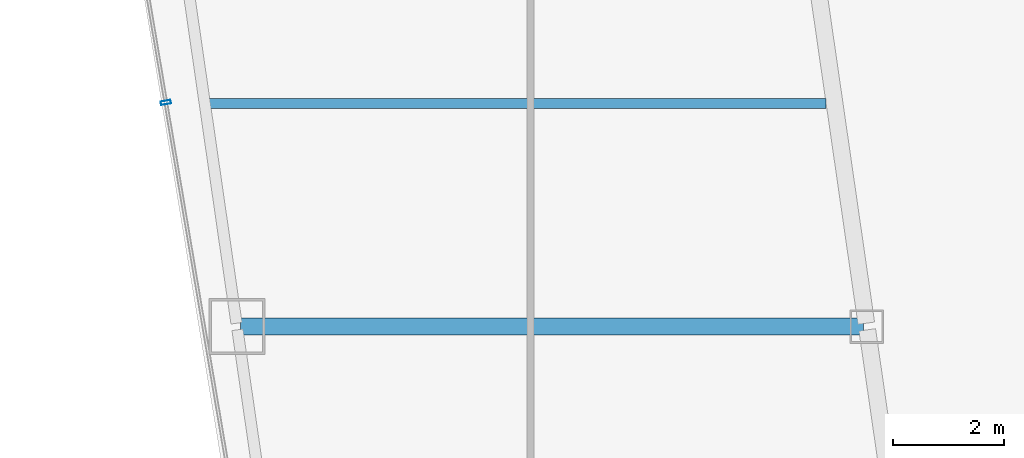
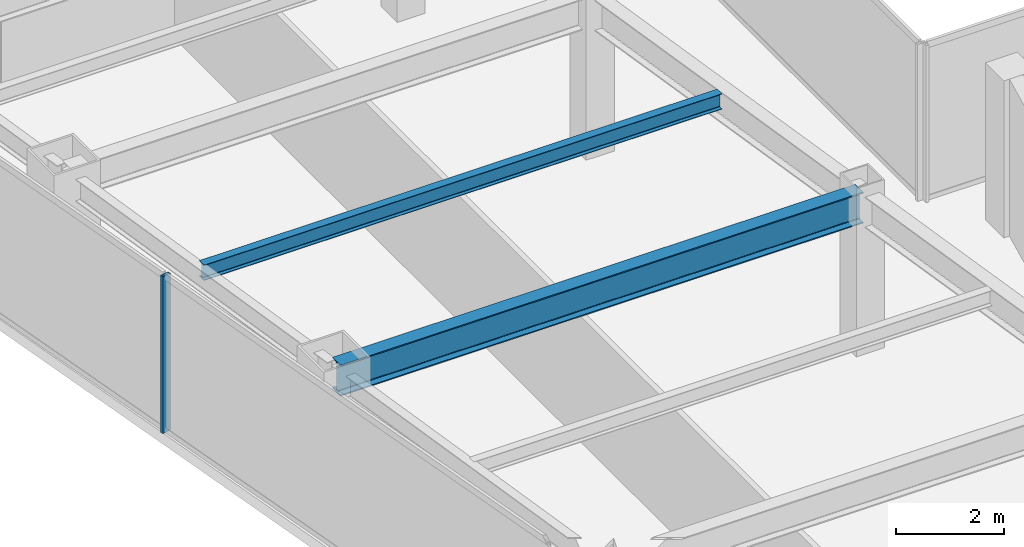
# One storey, part 4 of 31: 2 beams, 1 member, 1 element without a shape of its own.
"""IFC4 building model written with IfcOpenShell, lengths in metres."""

from ifc_helpers import new_model, si_unit, direction, frame, origin, origin_2d, place, context, subcontext, project, spatial, hollow_rectangle, i_section, extrude, material, material_profile, profile_set, type_object, element, aggregate, save


model = new_model("IFC4")

# Units and contexts
model_context = context("Model", 3, precision=1e-05, world=origin(), true_north=direction((0.0, 1.0)))
body_context = subcontext(model_context, "Body", "Model", "MODEL_VIEW")
ifc_project = project(units=[si_unit("LENGTHUNIT", "METRE"), si_unit("AREAUNIT", "SQUARE_METRE"), si_unit("VOLUMEUNIT", "CUBIC_METRE"), si_unit("PLANEANGLEUNIT", "RADIAN"), si_unit("MASSUNIT", "GRAM", prefix="KILO")], contexts=[model_context])

# Site, building, storey
site_placement = place(None, origin())
site = spatial("IfcSite", under=ifc_project, at=site_placement, CompositionType="ELEMENT")
building_placement = place(site_placement, origin())
building = spatial("IfcBuilding", under=site, at=building_placement, Name="Saevonmaru Cultural Tower", CompositionType="ELEMENT")
storey_placement = place(building_placement, frame((0.0, 0.0, 167.60009765625)))
storey = spatial("IfcBuildingStorey", under=building, at=storey_placement, Name="L37", CompositionType="ELEMENT", Elevation=167.60009765625)

# Beams
ifc_material_1 = material(Name="Steel SM355", Category="steel")
ifc_material_profile_1 = material_profile(ifc_material_1, i_section(OverallWidth=0.300048828125, OverallDepth=0.699951171875, WebThickness=0.012939453125, FlangeThickness=0.02392578125, FilletRadius=0.02587890625, at=origin_2d()), Name="H-700x300x13x24")
ifc_profile_set_1 = profile_set([ifc_material_profile_1], Name="Steel SM355")
beam_type_1 = type_object("IfcBeamType", Name="BM-G-H700", PredefinedType="BEAM", material=ifc_profile_set_1)
beam_1_placement = place(storey_placement, frame((9.531982421875, 24.0, 3.199951171875), z_axis=(1.0, 0.0, 0.0), x_axis=(0.0, 1.0, 0.0)))
element("IfcBeam", 1, at=beam_1_placement, inside=storey, type_object=beam_type_1, Name="L37 West Wing Transverse Girder 2", PredefinedType="BEAM", context=body_context, shape_type="SweptSolid", body=[
    extrude(i_section(OverallWidth=0.300048828125, OverallDepth=0.699951171875, WebThickness=0.012939453125, FlangeThickness=0.02392578125, FilletRadius=0.02587890625, at=origin_2d()), origin(), (0.0, 0.0, 1.0), 11.179931640625),
])
ifc_material_profile_2 = material_profile(ifc_material_1, i_section(OverallWidth=0.175048828125, OverallDepth=0.35009765625, WebThickness=0.007080078125, FlangeThickness=0.010986328125, FilletRadius=0.012939453125, at=origin_2d()), Name="H-350x175x7x11")
ifc_profile_set_2 = profile_set([ifc_material_profile_2], Name="Steel SM355")
beam_type_2 = type_object("IfcBeamType", Name="BM-J-H350", PredefinedType="JOIST", material=ifc_profile_set_2)
beam_2_placement = place(storey_placement, frame((8.95458984375, 28.0, 3.375), z_axis=(1.0, 0.0, 0.0), x_axis=(0.0, 1.0, 0.0)))
element("IfcBeam", 2, at=beam_2_placement, inside=storey, type_object=beam_type_2, Name="L37 West Wing Floor Joist 2", PredefinedType="JOIST", context=body_context, shape_type="SweptSolid", body=[
    extrude(i_section(OverallWidth=0.175048828125, OverallDepth=0.35009765625, WebThickness=0.007080078125, FlangeThickness=0.010986328125, FilletRadius=0.012939453125, at=origin_2d()), origin(), (0.0, 0.0, 1.0), 11.08203125),
])

# Curtain wall, member
ifc_material_2 = material(Name="Satin Bronze Anodised Aluminium", Category="aluminium")
curtain_wall_type = type_object("IfcCurtainWallType", Name="CW-TYP-A", PredefinedType="NOTDEFINED", material=ifc_material_2)
curtain_wall_placement = place(storey_placement, origin())
curtain_wall = element("IfcCurtainWall", 3, at=curtain_wall_placement, inside=storey, type_object=curtain_wall_type, Name="L37 Unitised Curtain Wall E12", PredefinedType="NOTDEFINED")
ifc_material_profile_3 = material_profile(ifc_material_2, hollow_rectangle(XDim=0.06494140625, YDim=0.179931640625, WallThickness=0.00390625, at=origin_2d()), Name="ALU-MULL-180x65x4")
ifc_profile_set_3 = profile_set([ifc_material_profile_3], Name="Satin Bronze Anodised Aluminium")
member_type = type_object("IfcMemberType", Name="ML-CW-180x65", PredefinedType="MULLION", material=ifc_profile_set_3)
member_placement = place(storey_placement, frame((8.1953125, 28.019775390625, 0.0), z_axis=(0.0, 0.0, 1.0), x_axis=(0.16692169721, -0.985970155228, 0.0)))
member = element("IfcMember", 4, at=member_placement, type_object=member_type, Name="CW-TW-L37-E12 mullion 3", PredefinedType="MULLION", context=body_context, shape_type="SweptSolid", body=[
    extrude(hollow_rectangle(XDim=0.06494140625, YDim=0.179931640625, WallThickness=0.00390625, at=origin_2d()), origin(), (0.0, 0.0, 1.0), 3.5498046875),
])
aggregate(curtain_wall, [member])

save(model, "model.ifc")
